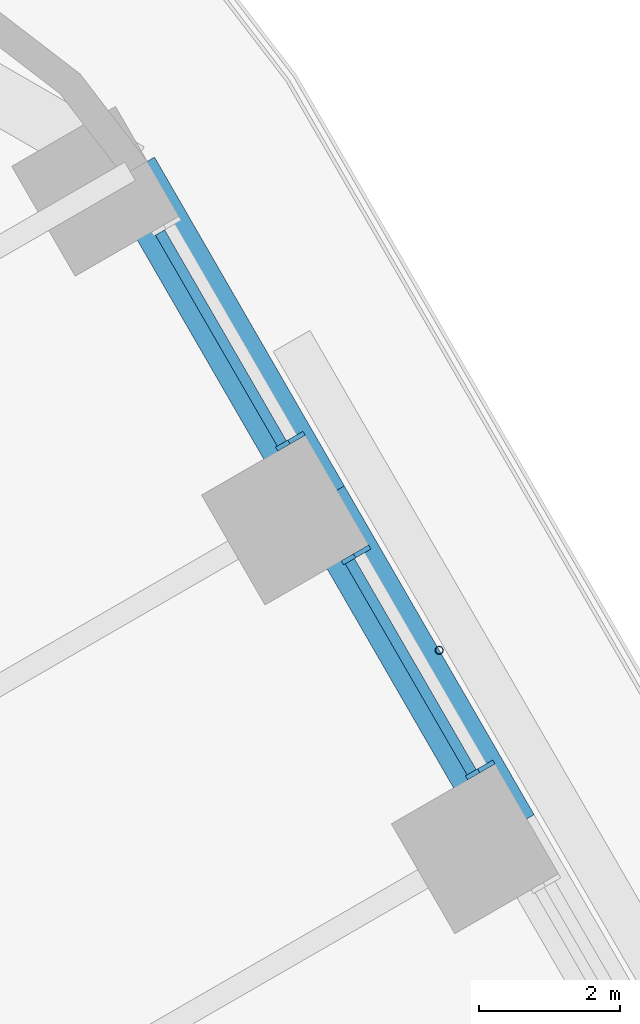
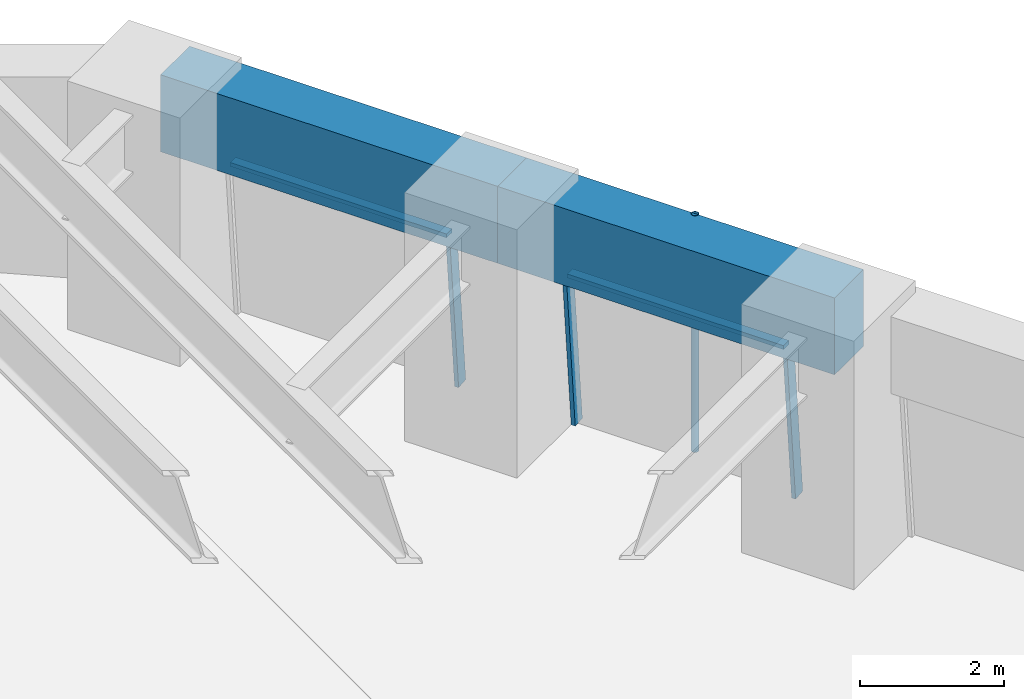
# One storey, part 11 of 24: 6 members, 2 beams, 2 elements without a shape of their own.
"""IFC4 building model written with IfcOpenShell, lengths in metres."""

from ifc_helpers import new_model, si_unit, direction, frame, origin, origin_2d, place, context, subcontext, project, spatial, rectangle, hollow_circle, extrude, material, material_profile, profile_set, type_object, element, aggregate, save


model = new_model("IFC4")

# Units and contexts
model_context = context("Model", 3, precision=1e-05, world=origin(), true_north=direction((0.0, 1.0)))
body_context = subcontext(model_context, "Body", "Model", "MODEL_VIEW")
ifc_project = project(units=[si_unit("LENGTHUNIT", "METRE"), si_unit("AREAUNIT", "SQUARE_METRE"), si_unit("VOLUMEUNIT", "CUBIC_METRE"), si_unit("PLANEANGLEUNIT", "RADIAN"), si_unit("MASSUNIT", "GRAM", prefix="KILO")], contexts=[model_context])

# Site, building, storey
site_placement = place(None, origin())
site = spatial("IfcSite", under=ifc_project, at=site_placement, CompositionType="ELEMENT")
building_placement = place(site_placement, origin())
building = spatial("IfcBuilding", under=site, at=building_placement, Name="Tarfa Lantern Tower", CompositionType="ELEMENT")
storey_placement = place(building_placement, frame((0.0, 0.0, 90.699951171875)))
storey = spatial("IfcBuildingStorey", under=building, at=storey_placement, Name="L20", CompositionType="ELEMENT", Elevation=90.699951171875)

# Curtain wall, members
ifc_material_1 = material(Name="Aluminium framed curtain wall", Category="aluminium")
curtain_wall_type = type_object("IfcCurtainWallType", Name="CW1 CANTED GLAZING LOW ZONE 2700", PredefinedType="USERDEFINED", material=ifc_material_1)
curtain_wall_1_placement = place(storey_placement, origin())
curtain_wall_1 = element("IfcCurtainWall", 1, at=curtain_wall_1_placement, inside=storey, type_object=curtain_wall_type, Name="CW1 NE L20", ObjectType="CURTAIN WALL", PredefinedType="USERDEFINED")
ifc_material_2 = material(Name="Aluminium mullion", Category="aluminium")
ifc_material_profile_1 = material_profile(ifc_material_2, rectangle(XDim=0.06494140625, YDim=0.199951171875, at=origin_2d()), Name="AL MULLION 65x200")
ifc_profile_set_1 = profile_set([ifc_material_profile_1], Name="Aluminium mullion")
member_type_1 = type_object("IfcMemberType", Name="CWM1 MULLION 65x200", PredefinedType="MULLION", material=ifc_profile_set_1)
member_1_placement = place(storey_placement, frame((26.19775390625, 22.42431640625, 0.0), z_axis=(-0.07986442134, -0.046099868913, 0.99573916077), x_axis=(0.499919672301, -0.866071776036, 0.0)))
member_1 = element("IfcMember", 2, at=member_1_placement, type_object=member_type_1, Name="CW1 mullion 1", PredefinedType="MULLION", context=body_context, shape_type="SweptSolid", body=[
    extrude(rectangle(XDim=0.06494140625, YDim=0.199951171875, at=origin_2d()), origin(), (0.0, 0.0, 1.0), 2.71142578125),
])
member_2_placement = place(storey_placement, frame((24.435791015625, 25.475830078125, 0.0), z_axis=(-0.079774955866, -0.04610020023, 0.995746317068), x_axis=(0.500342721131, -0.865827443207, 0.0)))
member_2 = element("IfcMember", 3, at=member_2_placement, type_object=member_type_1, Name="CW1 mullion 2", PredefinedType="MULLION", context=body_context, shape_type="SweptSolid", body=[
    extrude(rectangle(XDim=0.06494140625, YDim=0.199951171875, at=origin_2d()), origin(), (0.0, 0.0, 1.0), 2.71142578125),
])

# Curtain wall, member
curtain_wall_2_placement = place(storey_placement, origin())
curtain_wall_2 = element("IfcCurtainWall", 4, at=curtain_wall_2_placement, inside=storey, type_object=curtain_wall_type, Name="CW1 NE L20", ObjectType="CURTAIN WALL", PredefinedType="USERDEFINED")
member_3_placement = place(storey_placement, frame((23.50341796875, 27.0908203125, 0.0), z_axis=(-0.07986442134, -0.046099868913, 0.99573916077), x_axis=(0.499919672301, -0.866071776036, 0.0)))
member_3 = element("IfcMember", 5, at=member_3_placement, type_object=member_type_1, Name="CW1 mullion 1", PredefinedType="MULLION", context=body_context, shape_type="SweptSolid", body=[
    extrude(rectangle(XDim=0.06494140625, YDim=0.199951171875, at=origin_2d()), origin(), (0.0, 0.0, 1.0), 2.71142578125),
])

# Member
ifc_material_3 = material(Name="Aluminium transom", Category="aluminium")
ifc_material_profile_2 = material_profile(ifc_material_3, rectangle(XDim=0.14990234375, YDim=0.06494140625, at=origin_2d()), Name="AL TRANSOM 150x65")
ifc_profile_set_2 = profile_set([ifc_material_profile_2], Name="Aluminium transom")
member_type_2 = type_object("IfcMemberType", Name="CWT1 TRANSOM 150x65", PredefinedType="USERDEFINED", material=ifc_profile_set_2)
member_4_placement = place(storey_placement, frame((25.967529296875, 22.328857421875, 2.66748046875), z_axis=(-0.49997297598, 0.866041005548, 0.0), x_axis=(-0.866041005548, -0.49997297598, 0.0)))
member_4 = element("IfcMember", 6, at=member_4_placement, type_object=member_type_2, Name="CW1 transom 1.2", ObjectType="TRANSOM", PredefinedType="USERDEFINED", context=body_context, shape_type="SweptSolid", body=[
    extrude(rectangle(XDim=0.14990234375, YDim=0.06494140625, at=origin_2d()), origin(), (0.0, 0.0, 1.0), 3.458740234375),
])

aggregate(curtain_wall_1, [member_1, member_2, member_4])

member_5_placement = place(storey_placement, frame((23.273193359375, 26.99560546875, 2.66748046875), z_axis=(-0.500003541824, 0.866023358902, 0.0), x_axis=(-0.866023358902, -0.500003541824, 0.0)))
member_5 = element("IfcMember", 7, at=member_5_placement, type_object=member_type_2, Name="CW1 transom 1.2", ObjectType="TRANSOM", PredefinedType="USERDEFINED", context=body_context, shape_type="SweptSolid", body=[
    extrude(rectangle(XDim=0.14990234375, YDim=0.06494140625, at=origin_2d()), origin(), (0.0, 0.0, 1.0), 3.45849609375),
])

aggregate(curtain_wall_2, [member_3, member_5])

# Beams
ifc_material_4 = material(Name="Concrete C80/95", Category="concrete")
ifc_material_profile_3 = material_profile(ifc_material_4, rectangle(XDim=0.800048828125, YDim=1.300048828125, at=origin_2d()), Name="RC 800x1300")
ifc_profile_set_3 = profile_set([ifc_material_profile_3], Name="Concrete C80/95")
beam_type = type_object("IfcBeamType", Name="EB1 RC 800x1300", PredefinedType="SPANDREL", material=ifc_profile_set_3)
for number, where, z_axis, x_axis, name in (
    (8, (26.508056640625, 21.526611328125, 3.35009765625), (-0.499998287579, 0.866026392449, 0.0), (-0.866026392449, -0.499998287579, 0.0), "Edge beam NE4"),
    (9, (23.813720703125, 26.193359375, 3.35009765625), (-0.499998287579, 0.866026392449, 0.0), (-0.866026392449, -0.499998287579, 0.0), "Edge beam NE5"),
):
    element("IfcBeam", number, at=place(storey_placement, frame(where, z_axis=z_axis, x_axis=x_axis)), inside=storey, type_object=beam_type, Name=name, PredefinedType="SPANDREL", context=body_context, shape_type="SweptSolid", body=[
        extrude(rectangle(XDim=0.800048828125, YDim=1.300048828125, at=origin_2d()), origin(), (0.0, 0.0, 1.0), 5.388671875),
    ])

# Member
ifc_material_5 = material(Name="Steel S355", Category="steel")
ifc_material_profile_4 = material_profile(ifc_material_5, hollow_circle(Radius=0.05712890625, WallThickness=0.00634765625, at=origin_2d()), Name="CHS114.3x6.3")
ifc_profile_set_4 = profile_set([ifc_material_profile_4], Name="Steel S355")
member_type_3 = type_object("IfcMemberType", Name="TR1 GREEN WALL TRELLIS CHS114.3x6.3", PredefinedType="USERDEFINED", material=ifc_profile_set_4)
member_6_placement = place(storey_placement, frame((25.50732421875, 24.06005859375, 0.0), z_axis=(0.0, 0.0, 1.0), x_axis=(1.0, 0.0, 0.0)))
element("IfcMember", 10, at=member_6_placement, inside=storey, type_object=member_type_3, Name="Trellis post NE 2", ObjectType="TRELLIS", PredefinedType="USERDEFINED", context=body_context, shape_type="SweptSolid", body=[
    extrude(hollow_circle(Radius=0.05712890625, WallThickness=0.00634765625, at=origin_2d()), origin(), (0.0, 0.0, 1.0), 4.0),
])

save(model, "model.ifc")
